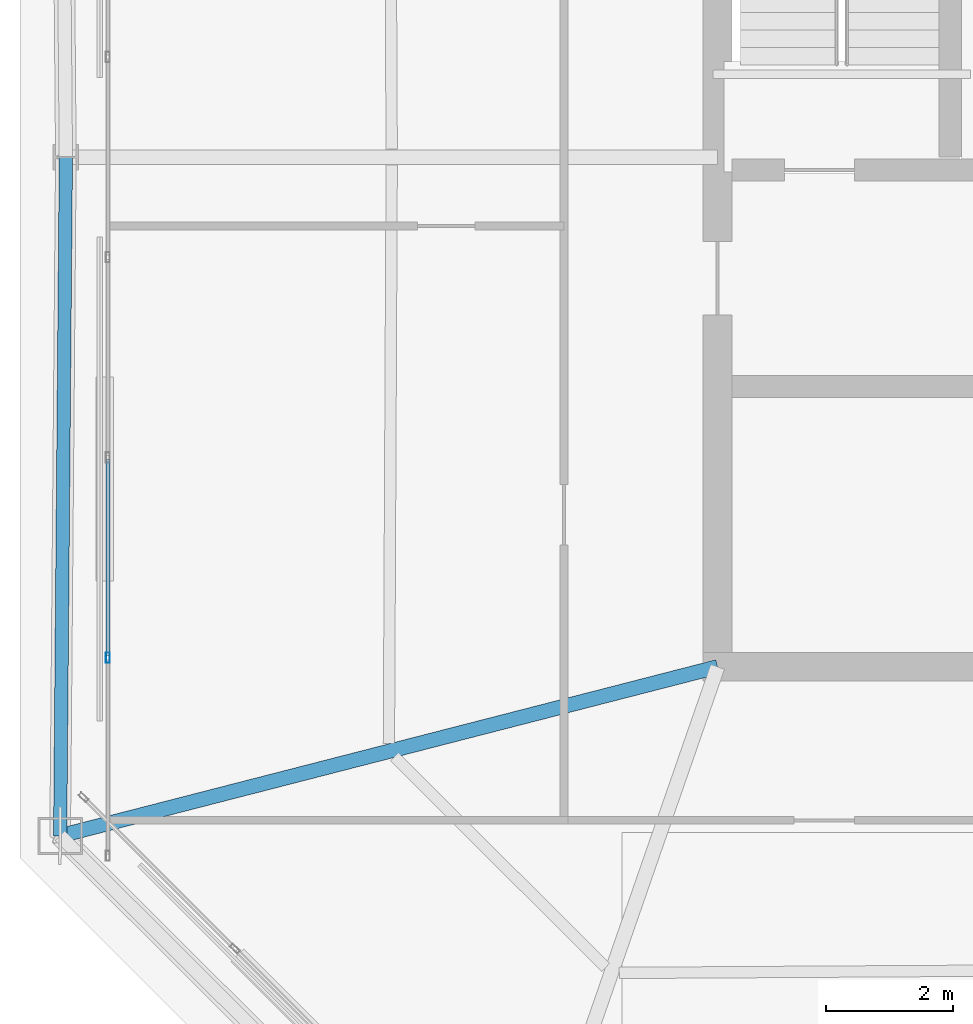
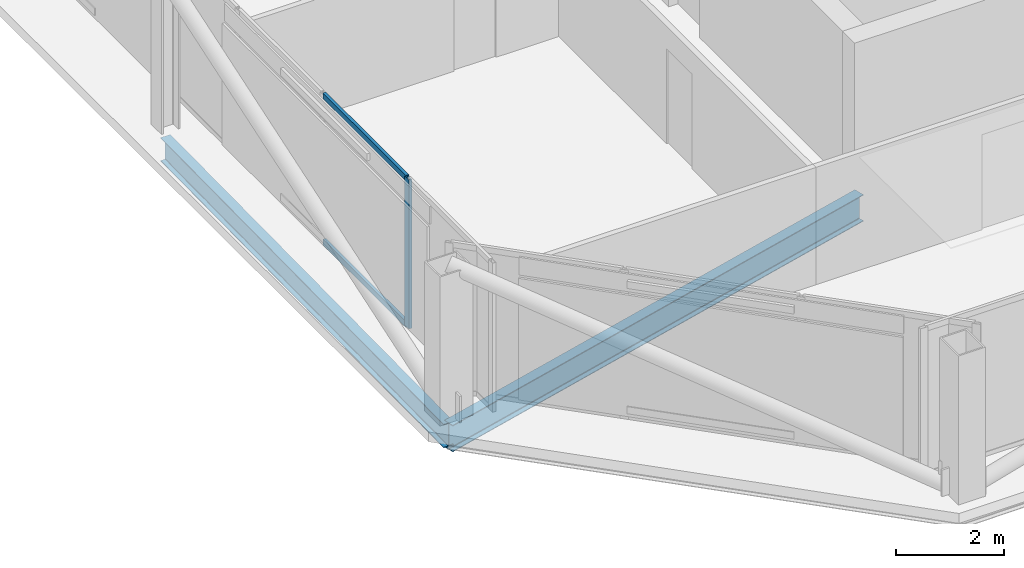
# One storey, part 5 of 26: 3 members, 2 beams, 1 element without a shape of its own.
"""IFC4 building model written with IfcOpenShell, lengths in metres."""

from ifc_helpers import new_model, si_unit, direction, frame, origin, origin_2d, place, context, subcontext, project, spatial, hollow_rectangle, i_section, extrude, material, layer, layer_set, material_profile, profile_set, type_object, element, aggregate, save


model = new_model("IFC4")

# Units and contexts
model_context = context("Model", 3, precision=1e-05, world=origin(), true_north=direction((0.0, 1.0)))
body_context = subcontext(model_context, "Body", "Model", "MODEL_VIEW")
ifc_project = project(units=[si_unit("LENGTHUNIT", "METRE"), si_unit("AREAUNIT", "SQUARE_METRE"), si_unit("VOLUMEUNIT", "CUBIC_METRE"), si_unit("PLANEANGLEUNIT", "RADIAN"), si_unit("MASSUNIT", "GRAM", prefix="KILO")], contexts=[model_context])

# Site, building, storey
site_placement = place(None, origin())
site = spatial("IfcSite", under=ifc_project, at=site_placement, CompositionType="ELEMENT")
building_placement = place(site_placement, origin())
building = spatial("IfcBuilding", under=site, at=building_placement, Name="Caelvoria Tower", CompositionType="ELEMENT")
storey_placement = place(building_placement, frame((0.0, 0.0, 239.39990234375)))
storey = spatial("IfcBuildingStorey", under=building, at=storey_placement, Name="L63", CompositionType="ELEMENT", Elevation=239.39990234375)

# Curtain wall, members
ifc_material_1 = material(Name="Anodised Bronze Aluminium and Low-E Glass", Category="aluminium")
ifc_layer = layer(ifc_material_1, 0.175048828125, Name="Anodised Bronze Aluminium and Low-E Glass")
ifc_layer_set = layer_set([ifc_layer], Name="CW System 4 High-Zone Tapered Crystal Facade - Anodised Bronze Aluminium and Low-E Glass")
curtain_wall_type = type_object("IfcCurtainWallType", Name="CW System 4 High-Zone Tapered Crystal Facade", PredefinedType="NOTDEFINED", material=ifc_layer_set)
curtain_wall_placement = place(storey_placement, origin())
curtain_wall = element("IfcCurtainWall", 1, at=curtain_wall_placement, inside=storey, type_object=curtain_wall_type, Name="CW-04 Curtain Wall L63-E6", PredefinedType="NOTDEFINED")
ifc_material_2 = material(Name="Anodised Bronze Architectural Aluminium", Category="aluminium")
ifc_material_profile_1 = material_profile(ifc_material_2, hollow_rectangle(XDim=0.06494140625, YDim=0.159912109375, WallThickness=0.00390625, at=origin_2d()), Name="Anodised Bronze Architectural Aluminium")
ifc_profile_set_1 = profile_set([ifc_material_profile_1], Name="CW_MULL_65X160 - Anodised Bronze Architectural Aluminium")
member_type_1 = type_object("IfcMemberType", Name="Curtain Wall Mullion 65x160 Bronze Aluminium", PredefinedType="MULLION", material=ifc_profile_set_1)
member_1_placement = place(storey_placement, frame((27.429931640625, 24.142822265625, 0.0), z_axis=(0.0, 0.0, 1.0), x_axis=(1.0, 0.0, 0.0)))
member_1 = element("IfcMember", 2, at=member_1_placement, type_object=member_type_1, Name="CW-04 mullion 7", PredefinedType="MULLION", context=body_context, shape_type="SweptSolid", body=[
    extrude(hollow_rectangle(XDim=0.06494140625, YDim=0.159912109375, WallThickness=0.00390625, at=origin_2d()), origin(), (0.0, 0.0, 1.0), 3.375),
])
ifc_material_profile_2 = material_profile(ifc_material_2, hollow_rectangle(XDim=0.06494140625, YDim=0.1298828125, WallThickness=0.00341796875, at=origin_2d()), Name="Anodised Bronze Architectural Aluminium")
ifc_profile_set_2 = profile_set([ifc_material_profile_2], Name="CW_TRAN_65X130 - Anodised Bronze Architectural Aluminium")
member_type_2 = type_object("IfcMemberType", Name="Curtain Wall Transom 65x130 Bronze Aluminium", PredefinedType="USERDEFINED", material=ifc_profile_set_2)
member_2_placement = place(storey_placement, frame((27.429931640625, 27.253173828125, 0.03271484375), z_axis=(0.0, -1.0, 0.0), x_axis=(1.0, 0.0, 0.0)))
member_2 = element("IfcMember", 3, at=member_2_placement, type_object=member_type_2, Name="CW-04 transom 6.1", ObjectType="TRANSOM", PredefinedType="USERDEFINED", context=body_context, shape_type="SweptSolid", body=[
    extrude(hollow_rectangle(XDim=0.06494140625, YDim=0.1298828125, WallThickness=0.00341796875, at=origin_2d()), origin(), (0.0, 0.0, 1.0), 3.077880859375),
])
member_3_placement = place(storey_placement, frame((27.429931640625, 27.253173828125, 3.342529296875), z_axis=(0.0, -1.0, 0.0), x_axis=(1.0, 0.0, 0.0)))
member_3 = element("IfcMember", 4, at=member_3_placement, type_object=member_type_2, Name="CW-04 transom 6.2", ObjectType="TRANSOM", PredefinedType="USERDEFINED", context=body_context, shape_type="SweptSolid", body=[
    extrude(hollow_rectangle(XDim=0.06494140625, YDim=0.1298828125, WallThickness=0.00341796875, at=origin_2d()), origin(), (0.0, 0.0, 1.0), 3.077880859375),
])
aggregate(curtain_wall, [member_1, member_2, member_3])

# Beams
ifc_material_3 = material(Name="Structural Steel ASTM A992 Gr.50", Category="steel")
ifc_material_profile_3 = material_profile(ifc_material_3, i_section(OverallWidth=0.22802734375, OverallDepth=0.60302734375, WebThickness=0.010498046875, FlangeThickness=0.014892578125, FilletRadius=0.01806640625, at=origin_2d()), Name="Structural Steel ASTM A992 Gr.50")
ifc_profile_set_3 = profile_set([ifc_material_profile_3], Name="W610X101 - Structural Steel ASTM A992 Gr.50")
beam_type_1 = type_object("IfcBeamType", Name="Primary Floor Girder W610X101", PredefinedType="BEAM", material=ifc_profile_set_3)
beam_1_placement = place(storey_placement, frame((37.0, 24.0, -0.5263671875), z_axis=(-0.968521506415, -0.248929892964, 0.0), x_axis=(0.248929892964, -0.968521506415, 0.0)))
element("IfcBeam", 5, at=beam_1_placement, inside=storey, type_object=beam_type_1, Name="Primary Floor Girder L63-11", PredefinedType="BEAM", context=body_context, shape_type="SweptSolid", body=[
    extrude(i_section(OverallWidth=0.22802734375, OverallDepth=0.60302734375, WebThickness=0.010498046875, FlangeThickness=0.014892578125, FilletRadius=0.01806640625, at=origin_2d()), origin(), (0.0, 0.0, 1.0), 10.655029296875),
])
ifc_material_profile_4 = material_profile(ifc_material_3, i_section(OverallWidth=0.208984375, OverallDepth=0.532958984375, WebThickness=0.01025390625, FlangeThickness=0.015625, FilletRadius=0.01611328125, at=origin_2d()), Name="Structural Steel ASTM A992 Gr.50")
ifc_profile_set_4 = profile_set([ifc_material_profile_4], Name="W530X92 - Structural Steel ASTM A992 Gr.50")
beam_type_2 = type_object("IfcBeamType", Name="Upper Zone Spandrel W530X92", PredefinedType="BEAM", material=ifc_profile_set_4)
beam_2_placement = place(storey_placement, frame((26.77001953125, 32.0, -0.491455078125), z_axis=(-0.008410960263, -0.999964627248, 0.0), x_axis=(0.999964627248, -0.008410960263, 0.0)))
element("IfcBeam", 6, at=beam_2_placement, inside=storey, type_object=beam_type_2, Name="Perimeter Spandrel Girder L63-10", PredefinedType="BEAM", context=body_context, shape_type="SweptSolid", body=[
    extrude(i_section(OverallWidth=0.208984375, OverallDepth=0.532958984375, WebThickness=0.01025390625, FlangeThickness=0.015625, FilletRadius=0.01611328125, at=origin_2d()), origin(), (0.0, 0.0, 1.0), 10.65283203125),
])

save(model, "model.ifc")
